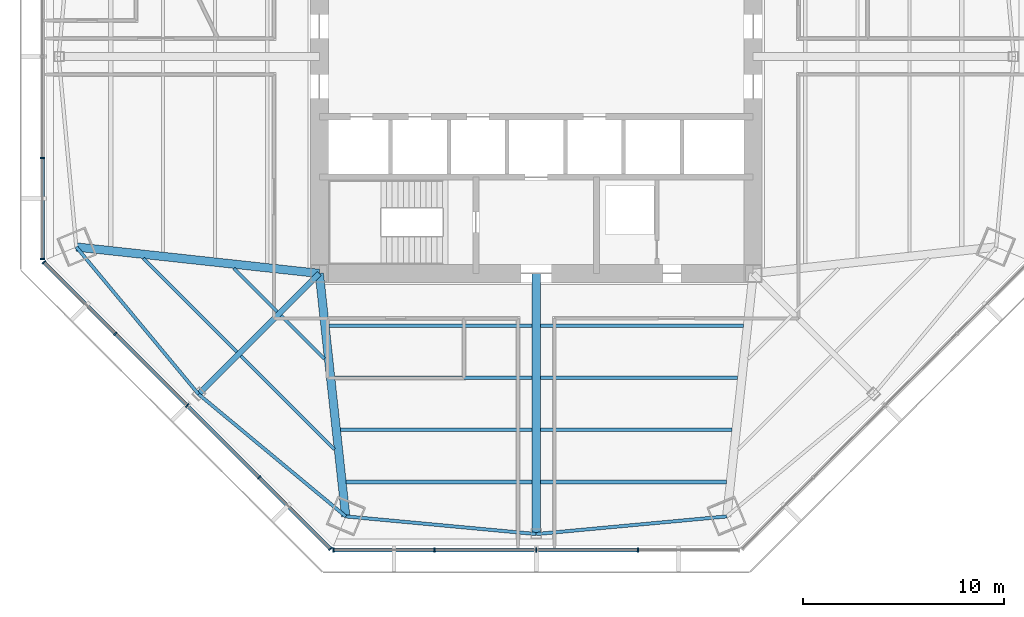
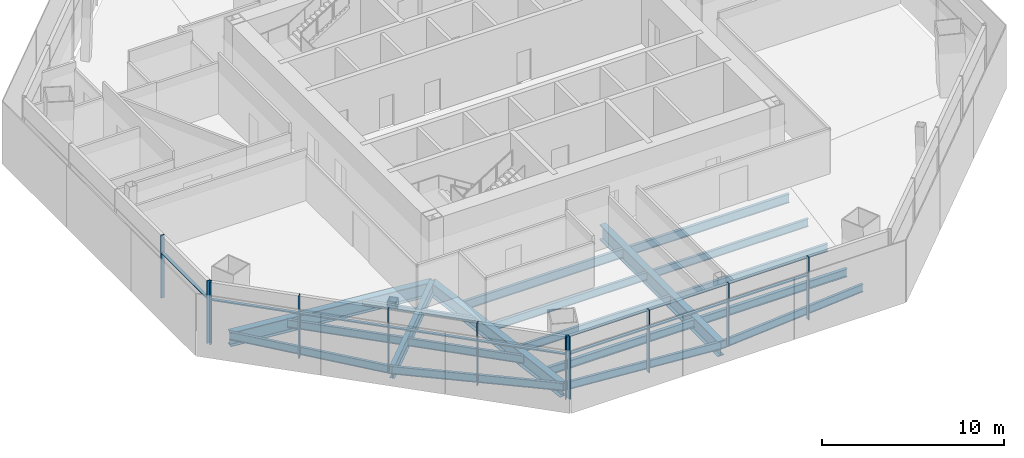
# One storey, part 2 of 14: 20 beams, 19 members, 3 elements without a shape of their own.
"""IFC4 building model written with IfcOpenShell, lengths in metres."""

from ifc_helpers import new_model, si_unit, direction, frame, origin, origin_2d, place, context, subcontext, project, spatial, rectangle, i_section, extrude, source, transform, mapped, material, material_profile, profile_set, type_object, type_shapes, element, aggregate, save


model = new_model("IFC4")

# Units and contexts
model_context = context("Model", 3, precision=1e-05, world=origin(), true_north=direction((0.0, 1.0)))
body_context = subcontext(model_context, "Body", "Model", "MODEL_VIEW")
ifc_project = project(units=[si_unit("LENGTHUNIT", "METRE"), si_unit("AREAUNIT", "SQUARE_METRE"), si_unit("VOLUMEUNIT", "CUBIC_METRE"), si_unit("PLANEANGLEUNIT", "RADIAN"), si_unit("MASSUNIT", "GRAM", prefix="KILO")], contexts=[model_context])

# Site, building, storey
site_placement = place(None, origin())
site = spatial("IfcSite", under=ifc_project, at=site_placement, CompositionType="ELEMENT")
building_placement = place(site_placement, origin())
building = spatial("IfcBuilding", under=site, at=building_placement, Name="Mashrafa Tower", CompositionType="ELEMENT")
storey_placement = place(building_placement, frame((0.0, 0.0, 121.800048828125)))
storey = spatial("IfcBuildingStorey", under=building, at=storey_placement, Name="L27", CompositionType="ELEMENT", Elevation=121.800048828125)

# Beams
ifc_material_1 = material(Name="Steel ASTM A992", Category="steel")
ifc_material_profile_1 = material_profile(ifc_material_1, i_section(OverallWidth=0.164794921875, OverallDepth=0.309814453125, WebThickness=0.005859375, FlangeThickness=0.009765625, FilletRadius=0.007568359375, at=origin_2d()), Name="W12X26")
ifc_profile_set_1 = profile_set([ifc_material_profile_1], Name="Steel ASTM A992")
beam_type_1 = type_object("IfcBeamType", Name="Beam W12X26", PredefinedType="BEAM", material=ifc_profile_set_1)
for number, where, z_axis, x_axis, name in (
    (1, (-12.90673828125, -12.7001953125, -0.320068359375), (-0.707106781187, 0.707106781187, 0.0), (-0.707106781187, -0.707106781187, 0.0), "Floor beam L27 013"),
    (2, (-10.547119140625, -15.059814453125, -0.320068359375), (-0.707106781187, 0.707106781187, 0.0), (-0.707106781187, -0.707106781187, 0.0), "Floor beam L27 016"),
):
    element("IfcBeam", number, at=place(storey_placement, frame(where, z_axis=z_axis, x_axis=x_axis)), inside=storey, type_object=beam_type_1, Name=name, PredefinedType="BEAM", context=body_context, shape_type="SweptSolid", body=[
        extrude(i_section(OverallWidth=0.164794921875, OverallDepth=0.309814453125, WebThickness=0.005859375, FlangeThickness=0.009765625, FilletRadius=0.007568359375, at=origin_2d()), origin(), (0.0, 0.0, 1.0), 3.044921875),
    ])
ifc_material_2 = material(Name="Steel ASTM A992", Category="steel")
ifc_material_profile_2 = material_profile(ifc_material_2, i_section(OverallWidth=0.1650390625, OverallDepth=0.52587890625, WebThickness=0.0087890625, FlangeThickness=0.011474609375, FilletRadius=0.0126953125, at=origin_2d()), Name="W21X44")
ifc_profile_set_2 = profile_set([ifc_material_profile_2], Name="Steel ASTM A992")
beam_type_2 = type_object("IfcBeamType", Name="Beam W21X44", PredefinedType="BEAM", material=ifc_profile_set_2)
for number, where, z_axis, x_axis, name in (
    (3, (-14.910400390625, -14.703857421875, -0.427978515625), (-0.707106781187, 0.707106781187, 0.0), (-0.707106781187, -0.707106781187, 0.0), "Floor beam L27 009"),
    (4, (-10.057861328125, -19.556396484375, -0.427978515625), (-0.707106781187, 0.707106781187, 0.0), (-0.707106781187, -0.707106781187, 0.0), "Floor beam L27 019"),
):
    element("IfcBeam", number, at=place(storey_placement, frame(where, z_axis=z_axis, x_axis=x_axis)), inside=storey, type_object=beam_type_2, Name=name, PredefinedType="BEAM", context=body_context, shape_type="SweptSolid", body=[
        extrude(i_section(OverallWidth=0.1650390625, OverallDepth=0.52587890625, WebThickness=0.0087890625, FlangeThickness=0.011474609375, FilletRadius=0.0126953125, at=origin_2d()), origin(), (0.0, 0.0, 1.0), 6.5703125),
    ])
beam_1_placement = place(storey_placement, frame((-0.20068359375, -18.584228515625, -0.427978515625), z_axis=(-1.0, 0.0, 0.0), x_axis=(0.0, -1.0, 0.0)))
element("IfcBeam", 5, at=beam_1_placement, inside=storey, type_object=beam_type_2, Name="Floor beam L27 022", PredefinedType="BEAM", context=body_context, shape_type="SweptSolid", body=[
    extrude(i_section(OverallWidth=0.1650390625, OverallDepth=0.52587890625, WebThickness=0.0087890625, FlangeThickness=0.011474609375, FilletRadius=0.0126953125, at=origin_2d()), origin(), (0.0, 0.0, 1.0), 9.54150390625),
])
beam_2_placement = place(storey_placement, frame((-0.20068359375, -15.989501953125, -0.427978515625), z_axis=(-1.0, 0.0, 0.0), x_axis=(0.0, -1.0, 0.0)))
element("IfcBeam", 6, at=beam_2_placement, inside=storey, type_object=beam_type_2, Name="Floor beam L27 023", PredefinedType="BEAM", context=body_context, shape_type="SweptSolid", body=[
    extrude(i_section(OverallWidth=0.1650390625, OverallDepth=0.52587890625, WebThickness=0.0087890625, FlangeThickness=0.011474609375, FilletRadius=0.0126953125, at=origin_2d()), origin(), (0.0, 0.0, 1.0), 9.82373046875),
])
beam_3_placement = place(storey_placement, frame((9.7421875, -18.584228515625, -0.427978515625), z_axis=(-1.0, 0.0, 0.0), x_axis=(0.0, -1.0, 0.0)))
element("IfcBeam", 7, at=beam_3_placement, inside=storey, type_object=beam_type_2, Name="Floor beam L27 031", PredefinedType="BEAM", context=body_context, shape_type="SweptSolid", body=[
    extrude(i_section(OverallWidth=0.1650390625, OverallDepth=0.52587890625, WebThickness=0.0087890625, FlangeThickness=0.011474609375, FilletRadius=0.0126953125, at=origin_2d()), origin(), (0.0, 0.0, 1.0), 9.54150390625),
])
beam_4_placement = place(storey_placement, frame((10.0244140625, -15.989501953125, -0.427978515625), z_axis=(-1.0, 0.0, 0.0), x_axis=(0.0, -1.0, 0.0)))
element("IfcBeam", 8, at=beam_4_placement, inside=storey, type_object=beam_type_2, Name="Floor beam L27 032", PredefinedType="BEAM", context=body_context, shape_type="SweptSolid", body=[
    extrude(i_section(OverallWidth=0.1650390625, OverallDepth=0.52587890625, WebThickness=0.0087890625, FlangeThickness=0.011474609375, FilletRadius=0.0126953125, at=origin_2d()), origin(), (0.0, 0.0, 1.0), 9.82373046875),
])
for number, where, z_axis, x_axis, name in (
    (9, (-22.8955078125, -9.483642578125, -0.427978515625), (0.638895089209, -0.769293874267, 0.0), (0.769293874267, 0.638895089209, 0.0), "Spandrel beam L27 066"),
    (10, (-16.810546875, -16.810546875, -0.427978515625), (0.769293874267, -0.638895089209, 0.0), (0.638895089209, 0.769293874267, 0.0), "Spandrel beam L27 068"),
    (11, (-9.483642578125, -22.8955078125, -0.427978515625), (0.995740107499, -0.092204329172, 0.0), (0.092204329172, 0.995740107499, 0.0), "Spandrel beam L27 070"),
    (12, (0.0, -23.773681640625, -0.427978515625), (0.995740107499, 0.092204329172, 0.0), (-0.092204329172, 0.995740107499, 0.0), "Spandrel beam L27 072"),
):
    element("IfcBeam", number, at=place(storey_placement, frame(where, z_axis=z_axis, x_axis=x_axis)), inside=storey, type_object=beam_type_2, Name=name, PredefinedType="BEAM", context=body_context, shape_type="SweptSolid", body=[
        extrude(i_section(OverallWidth=0.1650390625, OverallDepth=0.52587890625, WebThickness=0.0087890625, FlangeThickness=0.011474609375, FilletRadius=0.0126953125, at=origin_2d()), origin(), (0.0, 0.0, 1.0), 9.524169921875),
    ])
ifc_material_3 = material(Name="Steel ASTM A992", Category="steel")
ifc_material_profile_3 = material_profile(ifc_material_3, i_section(OverallWidth=0.209228515625, OverallDepth=0.533447265625, WebThickness=0.01025390625, FlangeThickness=0.015625, FilletRadius=0.012939453125, at=origin_2d()), Name="W21X62")
ifc_profile_set_3 = profile_set([ifc_material_profile_3], Name="Steel ASTM A992")
beam_type_3 = type_object("IfcBeamType", Name="Beam W21X62", PredefinedType="BEAM", material=ifc_profile_set_3)
for number, where, z_axis, x_axis, name in (
    (13, (-0.20068359375, -21.178955078125, -0.431640625), (-1.0, 0.0, 0.0), (0.0, -1.0, 0.0), "Floor beam L27 021"),
    (14, (9.459716796875, -21.178955078125, -0.431640625), (-1.0, 0.0, 0.0), (0.0, -1.0, 0.0), "Floor beam L27 029"),
):
    element("IfcBeam", number, at=place(storey_placement, frame(where, z_axis=z_axis, x_axis=x_axis)), inside=storey, type_object=beam_type_3, Name=name, PredefinedType="BEAM", context=body_context, shape_type="SweptSolid", body=[
        extrude(i_section(OverallWidth=0.209228515625, OverallDepth=0.533447265625, WebThickness=0.01025390625, FlangeThickness=0.015625, FilletRadius=0.012939453125, at=origin_2d()), origin(), (0.0, 0.0, 1.0), 9.259033203125),
    ])
ifc_material_4 = material(Name="Steel ASTM A992", Category="steel")
ifc_material_profile_4 = material_profile(ifc_material_4, i_section(OverallWidth=0.177978515625, OverallDepth=0.599365234375, WebThickness=0.010009765625, FlangeThickness=0.012939453125, FilletRadius=0.012939453125, at=origin_2d()), Name="W24X55")
ifc_profile_set_4 = profile_set([ifc_material_profile_4], Name="Steel ASTM A992")
beam_type_4 = type_object("IfcBeamType", Name="Beam W24X55", PredefinedType="BEAM", material=ifc_profile_set_4)
for number, where, z_axis, x_axis, name in (
    (15, (-0.20068359375, -13.394775390625, -0.46484375), (-1.0, 0.0, 0.0), (0.0, -1.0, 0.0), "Floor beam L27 024"),
    (16, (10.306884765625, -13.394775390625, -0.46484375), (-1.0, 0.0, 0.0), (0.0, -1.0, 0.0), "Floor beam L27 034"),
):
    element("IfcBeam", number, at=place(storey_placement, frame(where, z_axis=z_axis, x_axis=x_axis)), inside=storey, type_object=beam_type_4, Name=name, PredefinedType="BEAM", context=body_context, shape_type="SweptSolid", body=[
        extrude(i_section(OverallWidth=0.177978515625, OverallDepth=0.599365234375, WebThickness=0.010009765625, FlangeThickness=0.012939453125, FilletRadius=0.012939453125, at=origin_2d()), origin(), (0.0, 0.0, 1.0), 10.106201171875),
    ])
ifc_material_5 = material(Name="Steel ASTM A992", Category="steel")
ifc_material_profile_5 = material_profile(ifc_material_5, i_section(OverallWidth=0.2919921875, OverallDepth=0.8408203125, WebThickness=0.0146484375, FlangeThickness=0.021728515625, FilletRadius=0.017333984375, at=origin_2d()), Name="W33X130")
ifc_profile_set_5 = profile_set([ifc_material_profile_5], Name="Steel ASTM A992")
beam_type_5 = type_object("IfcBeamType", Name="Beam W33X130", PredefinedType="BEAM", material=ifc_profile_set_5)
beam_5_placement = place(storey_placement, frame((-10.800048828125, -10.800048828125, -0.58544921875), z_axis=(-0.707106781187, -0.707106781187, 0.0), x_axis=(0.707106781187, -0.707106781187, 0.0)))
element("IfcBeam", 17, at=beam_5_placement, inside=storey, type_object=beam_type_5, Name="Radial girder L27 050", PredefinedType="BEAM", context=body_context, shape_type="SweptSolid", body=[
    extrude(i_section(OverallWidth=0.2919921875, OverallDepth=0.8408203125, WebThickness=0.0146484375, FlangeThickness=0.021728515625, FilletRadius=0.017333984375, at=origin_2d()), origin(), (0.0, 0.0, 1.0), 8.500244140625),
])
ifc_material_6 = material(Name="Steel ASTM A992", Category="steel")
ifc_material_profile_6 = material_profile(ifc_material_6, i_section(OverallWidth=0.419189453125, OverallDepth=0.927001953125, WebThickness=0.019287109375, FlangeThickness=0.031982421875, FilletRadius=0.020263671875, at=origin_2d()), Name="W36X231")
ifc_profile_set_6 = profile_set([ifc_material_profile_6], Name="Steel ASTM A992")
beam_type_6 = type_object("IfcBeamType", Name="Beam W36X231", PredefinedType="BEAM", material=ifc_profile_set_6)
for number, where, z_axis, x_axis, name in (
    (18, (-10.800048828125, -10.800048828125, -0.628662109375), (-0.994129598654, 0.108195845951, 0.0), (-0.108195845951, -0.994129598654, 0.0), "Radial girder L27 049"),
    (19, (-10.800048828125, -10.800048828125, -0.628662109375), (0.108195845951, -0.994129598654, 0.0), (0.994129598654, 0.108195845951, 0.0), "Radial girder L27 051"),
):
    element("IfcBeam", number, at=place(storey_placement, frame(where, z_axis=z_axis, x_axis=x_axis)), inside=storey, type_object=beam_type_6, Name=name, PredefinedType="BEAM", context=body_context, shape_type="SweptSolid", body=[
        extrude(i_section(OverallWidth=0.419189453125, OverallDepth=0.927001953125, WebThickness=0.019287109375, FlangeThickness=0.031982421875, FilletRadius=0.020263671875, at=origin_2d()), origin(), (0.0, 0.0, 1.0), 12.1669921875),
    ])
ifc_material_7 = material(Name="Steel ASTM A992", Category="steel")
ifc_material_profile_7 = material_profile(ifc_material_7, i_section(OverallWidth=0.4013671875, OverallDepth=1.010986328125, WebThickness=0.023681640625, FlangeThickness=0.0419921875, FilletRadius=0.02001953125, at=origin_2d()), Name="W40X297")
ifc_profile_set_7 = profile_set([ifc_material_profile_7], Name="Steel ASTM A992")
beam_type_7 = type_object("IfcBeamType", Name="Beam W40X297", PredefinedType="BEAM", material=ifc_profile_set_7)
beam_6_placement = place(storey_placement, frame((0.0, -10.800048828125, -0.67041015625), z_axis=(0.0, -1.0, 0.0), x_axis=(1.0, 0.0, 0.0)))
element("IfcBeam", 20, at=beam_6_placement, inside=storey, type_object=beam_type_7, Name="Radial girder L27 056", PredefinedType="BEAM", context=body_context, shape_type="SweptSolid", body=[
    extrude(i_section(OverallWidth=0.4013671875, OverallDepth=1.010986328125, WebThickness=0.023681640625, FlangeThickness=0.0419921875, FilletRadius=0.02001953125, at=origin_2d()), origin(), (0.0, 0.0, 1.0), 12.9736328125),
])

# Curtain wall, members
ifc_material_8 = material(Name="Unitised aluminium curtain wall", Category="aluminium")
curtain_wall_type = type_object("IfcCurtainWallType", Name="Office curtain wall, zone 2 CW-B 225 deep", PredefinedType="NOTDEFINED", material=ifc_material_8)
curtain_wall_1_placement = place(storey_placement, origin())
curtain_wall_1 = element("IfcCurtainWall", 21, at=curtain_wall_1_placement, inside=storey, type_object=curtain_wall_type, Name="Office curtain wall, zone 2 L27 west", PredefinedType="NOTDEFINED")
ifc_material_9 = material(Name="Extruded aluminium mullion", Category="aluminium")
ifc_material_profile_8 = material_profile(ifc_material_9, rectangle(XDim=0.22509765625, YDim=0.06494140625, at=origin_2d()), Name="Mullion 65x225")
ifc_profile_set_8 = profile_set([ifc_material_profile_8], Name="Extruded aluminium mullion")
member_type_1 = type_object("IfcMemberType", Name="Mullion CW-B 65 x 225", PredefinedType="MULLION", material=ifc_profile_set_8)
shared_shape_1 = source(origin(), body_context, "Body", "SweptSolid", [
    extrude(rectangle(XDim=0.22509765625, YDim=0.06494140625, at=origin_2d()), origin(), (0.0, 0.0, 1.0), 4.199951171875),
])
type_shapes(member_type_1, [shared_shape_1])
member_1_placement = place(storey_placement, frame((-24.569091796875, -5.06005859375, 0.0), z_axis=(0.0, 0.0, 1.0), x_axis=(1.0, 0.0, 0.0)))
member_1 = element("IfcMember", 22, at=member_1_placement, type_object=member_type_1, Name="CW-B mullion 4", PredefinedType="MULLION", context=body_context, shape_type="MappedRepresentation", body=[
    mapped(shared_shape_1, transform((0.0, 0.0, 0.0))),
])
member_2_placement = place(storey_placement, frame((-24.569091796875, -10.087890625, 0.0), z_axis=(0.0, 0.0, 1.0), x_axis=(1.0, 0.0, 0.0)))
member_2 = element("IfcMember", 23, at=member_2_placement, type_object=member_type_1, Name="CW-B mullion 5", PredefinedType="MULLION", context=body_context, shape_type="MappedRepresentation", body=[
    mapped(shared_shape_1, transform((0.0, 0.0, 0.0))),
])

curtain_wall_2_placement = place(storey_placement, origin())
curtain_wall_2 = element("IfcCurtainWall", 24, at=curtain_wall_2_placement, inside=storey, type_object=curtain_wall_type, Name="Office curtain wall, zone 2 L27 south-west", PredefinedType="NOTDEFINED")
member_3_placement = place(storey_placement, frame((-24.506103515625, -10.239990234375, 0.0), z_axis=(0.0, 0.0, 1.0), x_axis=(0.707106781187, 0.707106781187, 0.0)))
member_3 = element("IfcMember", 25, at=member_3_placement, type_object=member_type_1, Name="CW-B mullion 1", PredefinedType="MULLION", context=body_context, shape_type="MappedRepresentation", body=[
    mapped(shared_shape_1, transform((0.0, 0.0, 0.0))),
])
member_4_placement = place(storey_placement, frame((-20.951171875, -13.794921875, 0.0), z_axis=(0.0, 0.0, 1.0), x_axis=(0.707106781187, 0.707106781187, 0.0)))
member_4 = element("IfcMember", 26, at=member_4_placement, type_object=member_type_1, Name="CW-B mullion 2", PredefinedType="MULLION", context=body_context, shape_type="MappedRepresentation", body=[
    mapped(shared_shape_1, transform((0.0, 0.0, 0.0))),
])
member_5_placement = place(storey_placement, frame((-17.373046875, -17.373046875, 0.0), z_axis=(0.0, 0.0, 1.0), x_axis=(0.707106781187, 0.707106781187, 0.0)))
member_5 = element("IfcMember", 27, at=member_5_placement, type_object=member_type_1, Name="CW-B mullion 3", PredefinedType="MULLION", context=body_context, shape_type="MappedRepresentation", body=[
    mapped(shared_shape_1, transform((0.0, 0.0, 0.0))),
])
member_6_placement = place(storey_placement, frame((-13.794921875, -20.951171875, 0.0), z_axis=(0.0, 0.0, 1.0), x_axis=(0.707106781187, 0.707106781187, 0.0)))
member_6 = element("IfcMember", 28, at=member_6_placement, type_object=member_type_1, Name="CW-B mullion 4", PredefinedType="MULLION", context=body_context, shape_type="MappedRepresentation", body=[
    mapped(shared_shape_1, transform((0.0, 0.0, 0.0))),
])
member_7_placement = place(storey_placement, frame((-10.239990234375, -24.506103515625, 0.0), z_axis=(0.0, 0.0, 1.0), x_axis=(0.707106781187, 0.707106781187, 0.0)))
member_7 = element("IfcMember", 29, at=member_7_placement, type_object=member_type_1, Name="CW-B mullion 5", PredefinedType="MULLION", context=body_context, shape_type="MappedRepresentation", body=[
    mapped(shared_shape_1, transform((0.0, 0.0, 0.0))),
])

curtain_wall_3_placement = place(storey_placement, origin())
curtain_wall_3 = element("IfcCurtainWall", 30, at=curtain_wall_3_placement, inside=storey, type_object=curtain_wall_type, Name="Office curtain wall, zone 2 L27 south", PredefinedType="NOTDEFINED")
member_8_placement = place(storey_placement, frame((-10.087890625, -24.569091796875, 0.0), z_axis=(0.0, 0.0, 1.0), x_axis=(0.0, 1.0, 0.0)))
member_8 = element("IfcMember", 31, at=member_8_placement, type_object=member_type_1, Name="CW-B mullion 1", PredefinedType="MULLION", context=body_context, shape_type="MappedRepresentation", body=[
    mapped(shared_shape_1, transform((0.0, 0.0, 0.0))),
])
member_9_placement = place(storey_placement, frame((-5.06005859375, -24.569091796875, 0.0), z_axis=(0.0, 0.0, 1.0), x_axis=(0.0, 1.0, 0.0)))
member_9 = element("IfcMember", 32, at=member_9_placement, type_object=member_type_1, Name="CW-B mullion 2", PredefinedType="MULLION", context=body_context, shape_type="MappedRepresentation", body=[
    mapped(shared_shape_1, transform((0.0, 0.0, 0.0))),
])
member_10_placement = place(storey_placement, frame((0.0, -24.569091796875, 0.0), z_axis=(0.0, 0.0, 1.0), x_axis=(0.0, 1.0, 0.0)))
member_10 = element("IfcMember", 33, at=member_10_placement, type_object=member_type_1, Name="CW-B mullion 3", PredefinedType="MULLION", context=body_context, shape_type="MappedRepresentation", body=[
    mapped(shared_shape_1, transform((0.0, 0.0, 0.0))),
])
member_11_placement = place(storey_placement, frame((5.06005859375, -24.569091796875, 0.0), z_axis=(0.0, 0.0, 1.0), x_axis=(0.0, 1.0, 0.0)))
member_11 = element("IfcMember", 34, at=member_11_placement, type_object=member_type_1, Name="CW-B mullion 4", PredefinedType="MULLION", context=body_context, shape_type="MappedRepresentation", body=[
    mapped(shared_shape_1, transform((0.0, 0.0, 0.0))),
])

# Member
ifc_material_10 = material(Name="Extruded aluminium transom", Category="aluminium")
ifc_material_profile_9 = material_profile(ifc_material_10, rectangle(XDim=0.179931640625, YDim=0.080078125, at=origin_2d()), Name="Transom 80x180")
ifc_profile_set_9 = profile_set([ifc_material_profile_9], Name="Extruded aluminium transom")
member_type_2 = type_object("IfcMemberType", Name="Transom CW-B 80 x 180", PredefinedType="MULLION", material=ifc_profile_set_9)
shared_shape_2 = source(origin(), body_context, "Body", "SweptSolid", [
    extrude(rectangle(XDim=0.179931640625, YDim=0.080078125, at=origin_2d()), origin(), (0.0, 0.0, 1.0), 4.962646484375),
])
member_12_placement = place(storey_placement, frame((-24.569091796875, -5.092529296875, 3.0), z_axis=(0.0, -1.0, 0.0), x_axis=(1.0, 0.0, 0.0)))
member_12 = element("IfcMember", 35, at=member_12_placement, type_object=member_type_2, Name="CW-B transom 4", PredefinedType="MULLION", context=body_context, shape_type="MappedRepresentation", body=[
    mapped(shared_shape_2, transform((0.0, 0.0, 0.0))),
])

aggregate(curtain_wall_1, [member_1, member_2, member_12])

member_13_placement = place(storey_placement, frame((-10.05517578125, -24.569091796875, 3.0), z_axis=(1.0, 0.0, 0.0), x_axis=(0.0, 1.0, 0.0)))
member_13 = element("IfcMember", 36, at=member_13_placement, type_object=member_type_2, Name="CW-B transom 1", PredefinedType="MULLION", context=body_context, shape_type="MappedRepresentation", body=[
    mapped(shared_shape_2, transform((0.0, 0.0, 0.0))),
])

shared_shape_3 = source(origin(), body_context, "Body", "SweptSolid", [
    extrude(rectangle(XDim=0.179931640625, YDim=0.080078125, at=origin_2d()), origin(), (0.0, 0.0, 1.0), 4.9951171875),
])
member_14_placement = place(storey_placement, frame((-5.027587890625, -24.569091796875, 3.0), z_axis=(1.0, 0.0, 0.0), x_axis=(0.0, 1.0, 0.0)))
member_14 = element("IfcMember", 37, at=member_14_placement, type_object=member_type_2, Name="CW-B transom 2", PredefinedType="MULLION", context=body_context, shape_type="MappedRepresentation", body=[
    mapped(shared_shape_3, transform((0.0, 0.0, 0.0))),
])

member_15_placement = place(storey_placement, frame((0.032470703125, -24.569091796875, 3.0), z_axis=(1.0, 0.0, 0.0), x_axis=(0.0, 1.0, 0.0)))
member_15 = element("IfcMember", 38, at=member_15_placement, type_object=member_type_2, Name="CW-B transom 3", PredefinedType="MULLION", context=body_context, shape_type="MappedRepresentation", body=[
    mapped(shared_shape_3, transform((0.0, 0.0, 0.0))),
])

aggregate(curtain_wall_3, [member_8, member_9, member_10, member_11, member_13, member_14, member_15])

shared_shape_4 = source(origin(), body_context, "Body", "SweptSolid", [
    extrude(rectangle(XDim=0.179931640625, YDim=0.080078125, at=origin_2d()), origin(), (0.0, 0.0, 1.0), 4.96240234375),
])
member_16_placement = place(storey_placement, frame((-24.483154296875, -10.262939453125, 3.0), z_axis=(0.707106781187, -0.707106781187, 0.0), x_axis=(0.707106781187, 0.707106781187, 0.0)))
member_16 = element("IfcMember", 39, at=member_16_placement, type_object=member_type_2, Name="CW-B transom 1", PredefinedType="MULLION", context=body_context, shape_type="MappedRepresentation", body=[
    mapped(shared_shape_4, transform((0.0, 0.0, 0.0))),
])

member_17_placement = place(storey_placement, frame((-13.77197265625, -20.97412109375, 3.0), z_axis=(0.707106781187, -0.707106781187, 0.0), x_axis=(0.707106781187, 0.707106781187, 0.0)))
member_17 = element("IfcMember", 40, at=member_17_placement, type_object=member_type_2, Name="CW-B transom 4", PredefinedType="MULLION", context=body_context, shape_type="MappedRepresentation", body=[
    mapped(shared_shape_4, transform((0.0, 0.0, 0.0))),
])

shared_shape_5 = source(origin(), body_context, "Body", "SweptSolid", [
    extrude(rectangle(XDim=0.179931640625, YDim=0.080078125, at=origin_2d()), origin(), (0.0, 0.0, 1.0), 4.995361328125),
])
type_shapes(member_type_2, [shared_shape_2, shared_shape_3, shared_shape_4, shared_shape_5])
member_18_placement = place(storey_placement, frame((-20.92822265625, -13.81787109375, 3.0), z_axis=(0.707106781187, -0.707106781187, 0.0), x_axis=(0.707106781187, 0.707106781187, 0.0)))
member_18 = element("IfcMember", 41, at=member_18_placement, type_object=member_type_2, Name="CW-B transom 2", PredefinedType="MULLION", context=body_context, shape_type="MappedRepresentation", body=[
    mapped(shared_shape_5, transform((0.0, 0.0, 0.0))),
])

member_19_placement = place(storey_placement, frame((-17.35009765625, -17.39599609375, 3.0), z_axis=(0.707106781187, -0.707106781187, 0.0), x_axis=(0.707106781187, 0.707106781187, 0.0)))
member_19 = element("IfcMember", 42, at=member_19_placement, type_object=member_type_2, Name="CW-B transom 3", PredefinedType="MULLION", context=body_context, shape_type="MappedRepresentation", body=[
    mapped(shared_shape_5, transform((0.0, 0.0, 0.0))),
])

aggregate(curtain_wall_2, [member_3, member_4, member_5, member_6, member_7, member_16, member_18, member_19, member_17])

save(model, "model.ifc")
